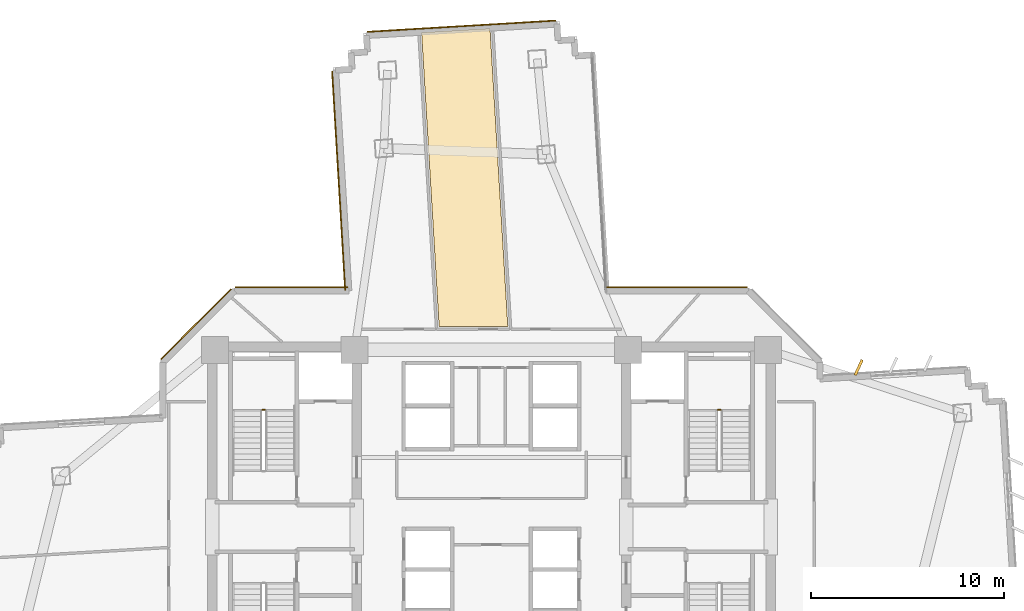
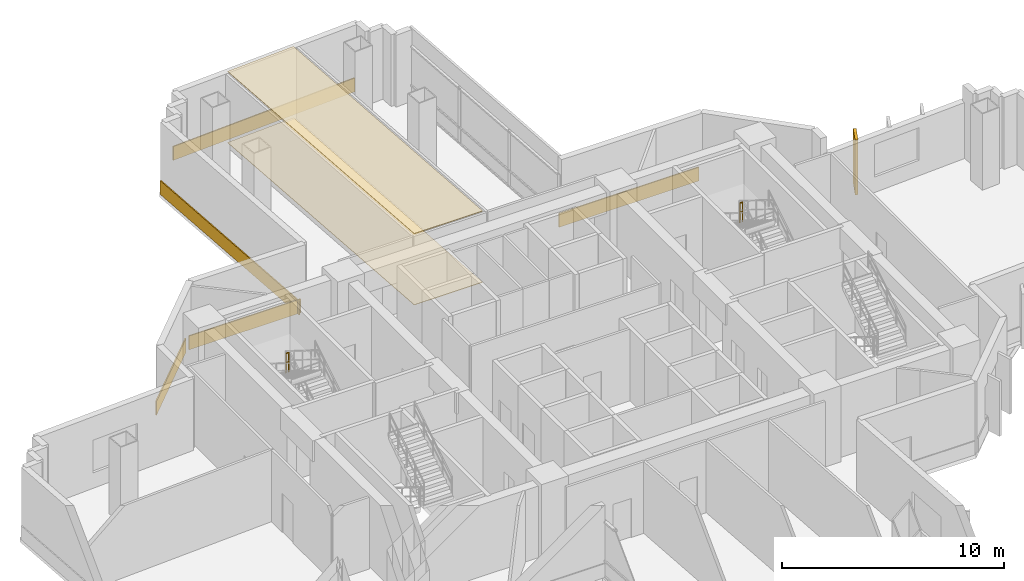
# One storey, part 14 of 15: 8 coverings, 2 railings.
"""IFC4 building model written with IfcOpenShell, lengths in metres."""

from ifc_helpers import new_model, si_unit, direction, frame, origin, origin_2d, place, context, subcontext, project, spatial, polyline, rectangle, outline, extrude, source, transform, mapped, material, layer, layer_set, type_object, element, save


model = new_model("IFC4")

# Units and contexts
model_context = context("Model", 3, precision=1e-05, world=origin(), true_north=direction((0.0, 1.0)))
body_context = subcontext(model_context, "Body", "Model", "MODEL_VIEW")
ifc_project = project(units=[si_unit("LENGTHUNIT", "METRE"), si_unit("AREAUNIT", "SQUARE_METRE"), si_unit("VOLUMEUNIT", "CUBIC_METRE"), si_unit("PLANEANGLEUNIT", "RADIAN"), si_unit("MASSUNIT", "GRAM", prefix="KILO")], contexts=[model_context])

# Site, building, storey
site_placement = place(None, origin())
site = spatial("IfcSite", under=ifc_project, at=site_placement, CompositionType="ELEMENT")
building_placement = place(site_placement, origin())
building = spatial("IfcBuilding", under=site, at=building_placement, Name="Zahravan Cultural Tower", CompositionType="ELEMENT")
storey_placement = place(building_placement, frame((0.0, 0.0, 71.10009765625)))
storey = spatial("IfcBuildingStorey", under=building, at=storey_placement, Name="L15", CompositionType="ELEMENT", Elevation=71.10009765625)

# Coverings
ifc_material_1 = material(Name="Acoustic mineral fibreboard")
ifc_layer_1 = layer(ifc_material_1, 0.0400390625)
ifc_layer_set_1 = layer_set([ifc_layer_1], Name="Acoustic mineral fibreboard")
covering_type_1 = type_object("IfcCoveringType", Name="COV-CEIL-AC20", PredefinedType="CEILING", material=ifc_layer_set_1)
covering_1_placement = place(storey_placement, frame((0.0, 0.0, 3.909912109375)))
element("IfcCovering", 1, at=covering_1_placement, inside=storey, type_object=covering_type_1, Name="L15 Acoustic Suspended Ceiling", PredefinedType="CEILING", context=body_context, shape_type="SweptSolid", body=[
    extrude(outline(polyline([(32.372314453125, 52.669189453125), (33.284912109375, 37.39990234375), (36.85107421875, 37.39990234375), (35.92578125, 52.881591796875), (32.372314453125, 52.669189453125)])), origin(), (0.0, 0.0, 1.0), 0.0400390625),
])
ifc_material_2 = material(Name="Terrazzo flooring")
ifc_layer_2 = layer(ifc_material_2, 0.02490234375)
ifc_layer_set_2 = layer_set([ifc_layer_2], Name="Terrazzo flooring")
covering_type_2 = type_object("IfcCoveringType", Name="COV-FLR-TZ25", PredefinedType="FLOORING", material=ifc_layer_set_2)
covering_2_placement = place(storey_placement, origin())
element("IfcCovering", 2, at=covering_2_placement, inside=storey, type_object=covering_type_2, Name="L15 Polished Terrazzo Flooring", PredefinedType="FLOORING", context=body_context, shape_type="SweptSolid", body=[
    extrude(outline(polyline([(32.372314453125, 52.669189453125), (33.284912109375, 37.39990234375), (36.85107421875, 37.39990234375), (35.92578125, 52.881591796875), (32.372314453125, 52.669189453125)])), origin(), (0.0, 0.0, 1.0), 0.02490234375),
])

# Railings
ifc_material_3 = material(Name="Steel ASTM A572 Grade 50", Category="steel")
railing_type = type_object("IfcRailingType", Name="RL-STAIR-GRD1150", PredefinedType="BALUSTRADE", material=ifc_material_3)
for number, where, name in (
    (3, (24.25, 33.080078125, 2.099853515625), "L15 ST-W1 stair guard 2"),
    (4, (47.89990234375, 33.080078125, 2.099853515625), "L15 ST-E1 stair guard 2"),
):
    element("IfcRailing", number, at=place(storey_placement, frame(where)), inside=storey, type_object=railing_type, Name=name, PredefinedType="BALUSTRADE", context=body_context, shape_type="SweptSolid", body=[
        extrude(rectangle(XDim=0.05, YDim=0.05, at=origin_2d()), frame((0.0, 0.0, 1.0751953125), z_axis=(-1.0, 0.0, 0.0), x_axis=(0.0, -1.0, 0.0)), (0.0, 0.0, 1.0), 0.14990234375),
        extrude(rectangle(XDim=0.032, YDim=0.032, at=origin_2d()), frame((0.0, 0.0, 0.572021484375), z_axis=(-1.0, 0.0, 0.0), x_axis=(0.0, -1.0, 0.0)), (0.0, 0.0, 1.0), 0.14990234375),
        extrude(rectangle(XDim=0.04, YDim=0.04, at=origin_2d()), origin(), (0.0, 0.0, 1.0), 1.10009765625),
        extrude(rectangle(XDim=0.04, YDim=0.04, at=origin_2d()), frame((-0.14990234375, 0.0, 0.0)), (0.0, 0.0, 1.0), 1.10009765625),
    ])

# Coverings
ifc_material_4 = material(Name="Terracotta ceramic cladding", Category="masonry")
ifc_layer_3 = layer(ifc_material_4, 0.06005859375)
ifc_layer_set_3 = layer_set([ifc_layer_3], Name="Terracotta ceramic cladding")
covering_type_3 = type_object("IfcCoveringType", Name="COV-CLAD-TC60", PredefinedType="CLADDING", material=ifc_layer_set_3)
shared_shape_1 = source(origin(), body_context, "Body", "SweptSolid", [
    extrude(rectangle(XDim=9.820068359375, YDim=0.06005859375, at=origin_2d()), origin(), (0.0, 0.0, 1.0), 0.760009765625),
])
covering_3_placement = place(storey_placement, frame((34.4462890625, 52.99853515625, 0.02001953125), z_axis=(0.0, 0.0, 1.0), x_axis=(0.998219065278, 0.05965482139, 0.0)))
element("IfcCovering", 5, at=covering_3_placement, inside=storey, type_object=covering_type_3, Name="L15 Terracotta Spandrel Cladding 47", PredefinedType="CLADDING", context=body_context, shape_type="MappedRepresentation", body=[
    mapped(shared_shape_1, transform((0.0, 0.0, 0.0), x_axis=(1.0, 0.0, 0.0), y_axis=(0.0, 1.0, 0.0), z_axis=(0.0, 0.0, 1.0), scale=1.0)),
])
shared_shape_2 = source(origin(), body_context, "Body", "SweptSolid", [
    extrude(rectangle(XDim=5.157958984375, YDim=0.06005859375, at=origin_2d()), origin(), (0.0, 0.0, 1.0), 0.760009765625),
])
covering_4_placement = place(storey_placement, frame((20.668212890625, 37.53173828125, 0.02001953125), z_axis=(0.0, 0.0, 1.0), x_axis=(0.707106781187, 0.707106781187, 0.0)))
element("IfcCovering", 6, at=covering_4_placement, inside=storey, type_object=covering_type_3, Name="L15 Terracotta Spandrel Cladding 40", PredefinedType="CLADDING", context=body_context, shape_type="MappedRepresentation", body=[
    mapped(shared_shape_2, transform((0.0, 0.0, 0.0), x_axis=(1.0, 0.0, 0.0), y_axis=(0.0, 1.0, 0.0), z_axis=(0.0, 0.0, 1.0), scale=1.0)),
])
shared_shape_3 = source(origin(), body_context, "Body", "SweptSolid", [
    extrude(rectangle(XDim=0.8798828125, YDim=0.139892578125, at=origin_2d()), origin(), (0.0, 0.0, 1.0), 3.030029296875),
])
covering_5_placement = place(storey_placement, frame((55.064208984375, 35.281982421875, 0.0498046875), z_axis=(0.0, 0.0, 1.0), x_axis=(0.41596338363, 0.909381363059, 0.0)))
element("IfcCovering", 7, at=covering_5_placement, inside=storey, type_object=covering_type_3, Name="L15 Herringbone Terracotta Fin 01", PredefinedType="CLADDING", context=body_context, shape_type="MappedRepresentation", body=[
    mapped(shared_shape_3, transform((0.0, 0.0, 0.0), x_axis=(1.0, 0.0, 0.0), y_axis=(0.0, 1.0, 0.0), z_axis=(0.0, 0.0, 1.0), scale=1.0)),
])
shared_shape_4 = source(origin(), body_context, "Body", "SweptSolid", [
    extrude(rectangle(XDim=5.83740234375, YDim=0.06005859375, at=origin_2d()), origin(), (0.0, 0.0, 1.0), 0.760009765625),
])
covering_6_placement = place(storey_placement, frame((25.626708984375, 39.445068359375, 0.02001953125), z_axis=(0.0, 0.0, 1.0), x_axis=(1.0, 0.0, 0.0)))
element("IfcCovering", 8, at=covering_6_placement, inside=storey, type_object=covering_type_3, Name="L15 Terracotta Spandrel Cladding 41", PredefinedType="CLADDING", context=body_context, shape_type="MappedRepresentation", body=[
    mapped(shared_shape_4, transform((0.0, 0.0, 0.0), x_axis=(1.0, 0.0, 0.0), y_axis=(0.0, 1.0, 0.0), z_axis=(0.0, 0.0, 1.0), scale=1.0)),
])
shared_shape_5 = source(origin(), body_context, "Body", "SweptSolid", [
    extrude(rectangle(XDim=11.380126953125, YDim=0.06005859375, at=origin_2d()), origin(), (0.0, 0.0, 1.0), 0.760009765625),
])
covering_7_placement = place(storey_placement, frame((28.068359375, 44.978759765625, 0.02001953125), z_axis=(0.0, 0.0, 1.0), x_axis=(-0.05965482139, 0.998219065278, 0.0)))
element("IfcCovering", 9, at=covering_7_placement, inside=storey, type_object=covering_type_3, Name="L15 Terracotta Spandrel Cladding 42", PredefinedType="CLADDING", context=body_context, shape_type="MappedRepresentation", body=[
    mapped(shared_shape_5, transform((0.0, 0.0, 0.0), x_axis=(1.0, 0.0, 0.0), y_axis=(0.0, 1.0, 0.0), z_axis=(0.0, 0.0, 1.0), scale=1.0)),
])
shared_shape_6 = source(origin(), body_context, "Body", "SweptSolid", [
    extrude(rectangle(XDim=7.302734375, YDim=0.06005859375, at=origin_2d()), origin(), (0.0, 0.0, 1.0), 0.760009765625),
])
covering_8_placement = place(storey_placement, frame((45.640625, 39.445068359375, 0.02001953125), z_axis=(0.0, 0.0, 1.0), x_axis=(1.0, 0.0, 0.0)))
element("IfcCovering", 10, at=covering_8_placement, inside=storey, type_object=covering_type_3, Name="L15 Terracotta Spandrel Cladding 52", PredefinedType="CLADDING", context=body_context, shape_type="MappedRepresentation", body=[
    mapped(shared_shape_6, transform((0.0, 0.0, 0.0), x_axis=(1.0, 0.0, 0.0), y_axis=(0.0, 1.0, 0.0), z_axis=(0.0, 0.0, 1.0), scale=1.0)),
])

save(model, "model.ifc")
